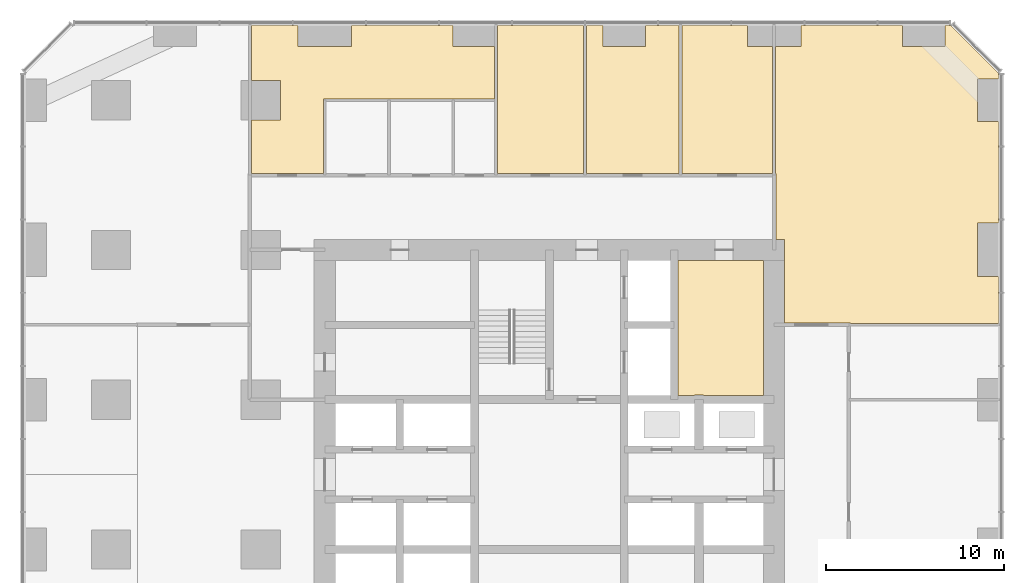
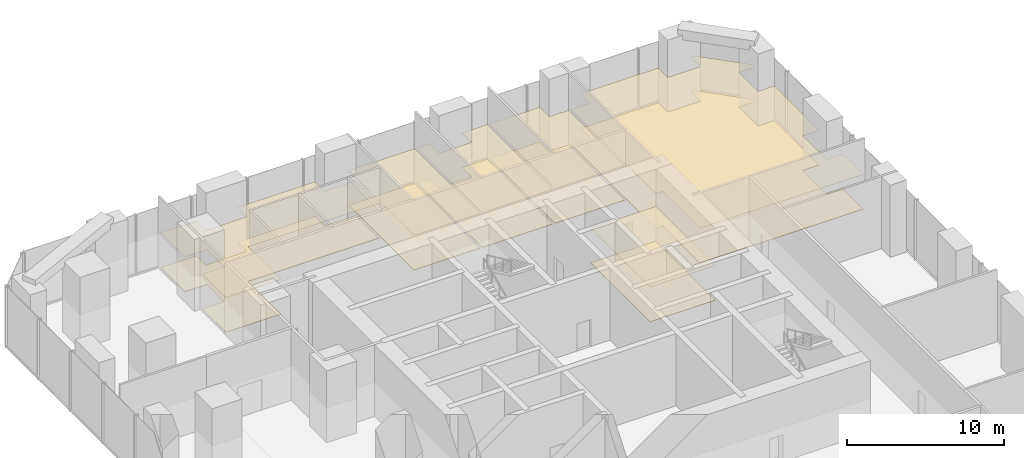
# One storey, part 12 of 13: 12 coverings.
"""IFC4 building model written with IfcOpenShell, lengths in metres."""

from ifc_helpers import new_model, si_unit, direction, frame, origin, place, context, subcontext, project, spatial, polyline, outline, extrude, material, layer, layer_set, type_object, element, save


model = new_model("IFC4")

# Units and contexts
model_context = context("Model", 3, precision=1e-05, world=origin(), true_north=direction((0.0, 1.0)))
body_context = subcontext(model_context, "Body", "Model", "MODEL_VIEW")
ifc_project = project(units=[si_unit("LENGTHUNIT", "METRE"), si_unit("AREAUNIT", "SQUARE_METRE"), si_unit("VOLUMEUNIT", "CUBIC_METRE"), si_unit("PLANEANGLEUNIT", "RADIAN"), si_unit("MASSUNIT", "GRAM", prefix="KILO")], contexts=[model_context])

# Site, building, storey
site_placement = place(None, origin())
site = spatial("IfcSite", under=ifc_project, at=site_placement, CompositionType="ELEMENT")
building_placement = place(site_placement, origin())
building = spatial("IfcBuilding", under=site, at=building_placement, Name="Dunama Terrace Hotel", CompositionType="ELEMENT")
storey_placement = place(building_placement, frame((0.0, 0.0, 147.60009765625)))
storey = spatial("IfcBuildingStorey", under=building, at=storey_placement, Name="L38", CompositionType="ELEMENT", Elevation=147.60009765625)

# Coverings
ifc_material_1 = material(Name="Natural stone floor tiles", Category="masonry")
ifc_layer_1 = layer(ifc_material_1, 0.030029296875)
ifc_layer_set_1 = layer_set([ifc_layer_1], Name="Stone floor finish 30")
covering_type_1 = type_object("IfcCoveringType", Name="Stone floor finish 30", PredefinedType="FLOORING", material=ifc_layer_set_1)
covering_1_placement = place(storey_placement, origin())
element("IfcCovering", 1, at=covering_1_placement, inside=storey, type_object=covering_type_1, Name="Floor finish L38-09", PredefinedType="FLOORING", context=body_context, shape_type="SweptSolid", body=[
    extrude(outline(polyline([(36.60009765625, 41.39990234375), (36.60009765625, 38.0), (36.60009765625, 37.60009765625), (36.60009765625, 33.824951171875), (37.550048828125, 33.824951171875), (37.550048828125, 33.85009765625), (38.050048828125, 33.85009765625), (38.050048828125, 33.824951171875), (41.39990234375, 33.824951171875), (41.39990234375, 41.39990234375), (36.60009765625, 41.39990234375)])), origin(), (0.0, 0.0, 1.0), 0.02978515625),
])
covering_2_placement = place(storey_placement, origin())
element("IfcCovering", 2, at=covering_2_placement, inside=storey, type_object=covering_type_1, Name="Floor finish L38-31", PredefinedType="FLOORING", context=body_context, shape_type="SweptSolid", body=[
    extrude(outline(polyline([(49.199951171875, 54.60009765625), (43.5, 54.60009765625), (43.5, 53.39990234375), (42.074951171875, 53.39990234375), (42.074951171875, 46.300048828125), (42.10009765625, 46.300048828125), (42.10009765625, 46.10009765625), (42.10009765625, 42.60009765625), (42.60009765625, 42.60009765625), (42.60009765625, 41.39990234375), (42.60009765625, 37.89990234375), (46.10009765625, 37.89990234375), (46.199951171875, 37.89990234375), (46.300048828125, 37.89990234375), (46.300048828125, 37.875), (54.60009765625, 37.875), (54.60009765625, 40.5), (53.39990234375, 40.5), (53.39990234375, 43.5), (54.60009765625, 43.5), (54.60009765625, 49.199951171875), (53.39990234375, 49.199951171875), (53.39990234375, 51.60009765625), (54.60009765625, 51.60009765625), (54.60009765625, 51.89990234375), (51.89990234375, 54.60009765625), (51.60009765625, 54.60009765625), (51.60009765625, 53.39990234375), (49.199951171875, 53.39990234375), (49.199951171875, 54.60009765625)])), origin(), (0.0, 0.0, 1.0), 0.02978515625),
])
covering_3_placement = place(storey_placement, origin())
element("IfcCovering", 3, at=covering_3_placement, inside=storey, type_object=covering_type_1, Name="Floor finish L38-36", PredefinedType="FLOORING", context=body_context, shape_type="SweptSolid", body=[
    extrude(outline(polyline([(31.324951171875, 54.60009765625), (26.47509765625, 54.60009765625), (26.47509765625, 50.47509765625), (26.47509765625, 50.324951171875), (26.47509765625, 46.300048828125), (31.324951171875, 46.300048828125), (31.324951171875, 54.60009765625)])), origin(), (0.0, 0.0, 1.0), 0.02978515625),
])
covering_4_placement = place(storey_placement, origin())
element("IfcCovering", 4, at=covering_4_placement, inside=storey, type_object=covering_type_1, Name="Floor finish L38-37", PredefinedType="FLOORING", context=body_context, shape_type="SweptSolid", body=[
    extrude(outline(polyline([(32.39990234375, 54.60009765625), (31.47509765625, 54.60009765625), (31.47509765625, 46.300048828125), (36.675048828125, 46.300048828125), (36.675048828125, 54.60009765625), (34.800048828125, 54.60009765625), (34.800048828125, 53.39990234375), (32.39990234375, 53.39990234375), (32.39990234375, 54.60009765625)])), origin(), (0.0, 0.0, 1.0), 0.02978515625),
])
covering_5_placement = place(storey_placement, origin())
element("IfcCovering", 5, at=covering_5_placement, inside=storey, type_object=covering_type_1, Name="Floor finish L38-38", PredefinedType="FLOORING", context=body_context, shape_type="SweptSolid", body=[
    extrude(outline(polyline([(40.5, 54.60009765625), (36.824951171875, 54.60009765625), (36.824951171875, 46.300048828125), (41.89990234375, 46.300048828125), (41.925048828125, 46.300048828125), (41.925048828125, 53.39990234375), (40.5, 53.39990234375), (40.5, 54.60009765625)])), origin(), (0.0, 0.0, 1.0), 0.02978515625),
])
covering_6_placement = place(storey_placement, origin())
element("IfcCovering", 6, at=covering_6_placement, inside=storey, type_object=covering_type_1, Name="Floor finish L38-39", PredefinedType="FLOORING", context=body_context, shape_type="SweptSolid", body=[
    extrude(outline(polyline([(15.300048828125, 54.60009765625), (12.675048828125, 54.60009765625), (12.675048828125, 51.5), (14.300048828125, 51.5), (14.300048828125, 49.300048828125), (12.675048828125, 49.300048828125), (12.675048828125, 46.300048828125), (12.699951171875, 46.300048828125), (16.72509765625, 46.300048828125), (16.72509765625, 50.324951171875), (16.72509765625, 50.39990234375), (16.72509765625, 50.47509765625), (16.875, 50.47509765625), (20.324951171875, 50.47509765625), (20.47509765625, 50.47509765625), (23.925048828125, 50.47509765625), (24.074951171875, 50.47509765625), (26.324951171875, 50.47509765625), (26.324951171875, 53.39990234375), (24.0, 53.39990234375), (24.0, 54.60009765625), (18.300048828125, 54.60009765625), (18.300048828125, 53.39990234375), (15.300048828125, 53.39990234375), (15.300048828125, 54.60009765625)])), origin(), (0.0, 0.0, 1.0), 0.02978515625),
])
ifc_material_2 = material(Name="Gypsum plasterboard ceiling")
ifc_layer_2 = layer(ifc_material_2, 0.02001953125)
ifc_layer_set_2 = layer_set([ifc_layer_2], Name="Suspended ceiling 20")
covering_type_2 = type_object("IfcCoveringType", Name="Suspended ceiling 20", PredefinedType="CEILING", material=ifc_layer_set_2)
covering_7_placement = place(storey_placement, frame((0.0, 0.0, 2.699951171875)))
element("IfcCovering", 7, at=covering_7_placement, inside=storey, type_object=covering_type_2, Name="Ceiling L38-09", PredefinedType="CEILING", context=body_context, shape_type="SweptSolid", body=[
    extrude(outline(polyline([(41.39990234375, 41.39990234375), (36.60009765625, 41.39990234375), (36.60009765625, 38.0), (36.60009765625, 37.60009765625), (36.60009765625, 33.824951171875), (37.550048828125, 33.824951171875), (37.550048828125, 33.85009765625), (38.050048828125, 33.85009765625), (38.050048828125, 33.824951171875), (41.39990234375, 33.824951171875), (41.39990234375, 41.39990234375)])), origin(), (0.0, 0.0, 1.0), 0.02001953125),
])
covering_8_placement = place(storey_placement, frame((0.0, 0.0, 2.699951171875)))
element("IfcCovering", 8, at=covering_8_placement, inside=storey, type_object=covering_type_2, Name="Ceiling L38-31", PredefinedType="CEILING", context=body_context, shape_type="SweptSolid", body=[
    extrude(outline(polyline([(49.199951171875, 53.39990234375), (49.199951171875, 54.60009765625), (43.5, 54.60009765625), (43.5, 53.39990234375), (42.074951171875, 53.39990234375), (42.074951171875, 46.300048828125), (42.10009765625, 46.300048828125), (42.10009765625, 46.10009765625), (42.10009765625, 42.60009765625), (42.60009765625, 42.60009765625), (42.60009765625, 41.39990234375), (42.60009765625, 37.89990234375), (46.10009765625, 37.89990234375), (46.199951171875, 37.89990234375), (46.300048828125, 37.89990234375), (46.300048828125, 37.875), (54.60009765625, 37.875), (54.60009765625, 40.5), (53.39990234375, 40.5), (53.39990234375, 43.5), (54.60009765625, 43.5), (54.60009765625, 49.199951171875), (53.39990234375, 49.199951171875), (53.39990234375, 51.60009765625), (54.60009765625, 51.60009765625), (54.60009765625, 51.89990234375), (51.89990234375, 54.60009765625), (51.60009765625, 54.60009765625), (51.60009765625, 53.39990234375), (49.199951171875, 53.39990234375)])), origin(), (0.0, 0.0, 1.0), 0.02001953125),
])
covering_9_placement = place(storey_placement, frame((0.0, 0.0, 2.699951171875)))
element("IfcCovering", 9, at=covering_9_placement, inside=storey, type_object=covering_type_2, Name="Ceiling L38-36", PredefinedType="CEILING", context=body_context, shape_type="SweptSolid", body=[
    extrude(outline(polyline([(31.324951171875, 46.300048828125), (31.324951171875, 54.60009765625), (26.47509765625, 54.60009765625), (26.47509765625, 50.47509765625), (26.47509765625, 50.324951171875), (26.47509765625, 46.300048828125), (31.324951171875, 46.300048828125)])), origin(), (0.0, 0.0, 1.0), 0.02001953125),
])
covering_10_placement = place(storey_placement, frame((0.0, 0.0, 2.699951171875)))
element("IfcCovering", 10, at=covering_10_placement, inside=storey, type_object=covering_type_2, Name="Ceiling L38-37", PredefinedType="CEILING", context=body_context, shape_type="SweptSolid", body=[
    extrude(outline(polyline([(32.39990234375, 53.39990234375), (32.39990234375, 54.60009765625), (31.47509765625, 54.60009765625), (31.47509765625, 46.300048828125), (36.675048828125, 46.300048828125), (36.675048828125, 54.60009765625), (34.800048828125, 54.60009765625), (34.800048828125, 53.39990234375), (32.39990234375, 53.39990234375)])), origin(), (0.0, 0.0, 1.0), 0.02001953125),
])
covering_11_placement = place(storey_placement, frame((0.0, 0.0, 2.699951171875)))
element("IfcCovering", 11, at=covering_11_placement, inside=storey, type_object=covering_type_2, Name="Ceiling L38-38", PredefinedType="CEILING", context=body_context, shape_type="SweptSolid", body=[
    extrude(outline(polyline([(40.5, 53.39990234375), (40.5, 54.60009765625), (36.824951171875, 54.60009765625), (36.824951171875, 46.300048828125), (41.89990234375, 46.300048828125), (41.925048828125, 46.300048828125), (41.925048828125, 53.39990234375), (40.5, 53.39990234375)])), origin(), (0.0, 0.0, 1.0), 0.02001953125),
])
covering_12_placement = place(storey_placement, frame((0.0, 0.0, 2.699951171875)))
element("IfcCovering", 12, at=covering_12_placement, inside=storey, type_object=covering_type_2, Name="Ceiling L38-39", PredefinedType="CEILING", context=body_context, shape_type="SweptSolid", body=[
    extrude(outline(polyline([(15.300048828125, 53.39990234375), (15.300048828125, 54.60009765625), (12.675048828125, 54.60009765625), (12.675048828125, 51.5), (14.300048828125, 51.5), (14.300048828125, 49.300048828125), (12.675048828125, 49.300048828125), (12.675048828125, 46.300048828125), (12.699951171875, 46.300048828125), (16.72509765625, 46.300048828125), (16.72509765625, 50.324951171875), (16.72509765625, 50.39990234375), (16.72509765625, 50.47509765625), (16.875, 50.47509765625), (20.324951171875, 50.47509765625), (20.47509765625, 50.47509765625), (23.925048828125, 50.47509765625), (24.074951171875, 50.47509765625), (26.324951171875, 50.47509765625), (26.324951171875, 53.39990234375), (24.0, 53.39990234375), (24.0, 54.60009765625), (18.300048828125, 54.60009765625), (18.300048828125, 53.39990234375), (15.300048828125, 53.39990234375)])), origin(), (0.0, 0.0, 1.0), 0.02001953125),
])

save(model, "model.ifc")
